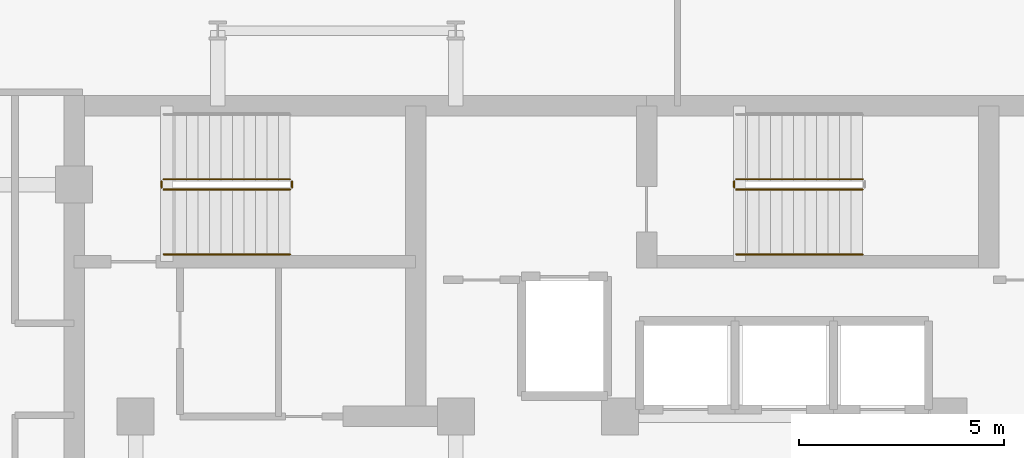
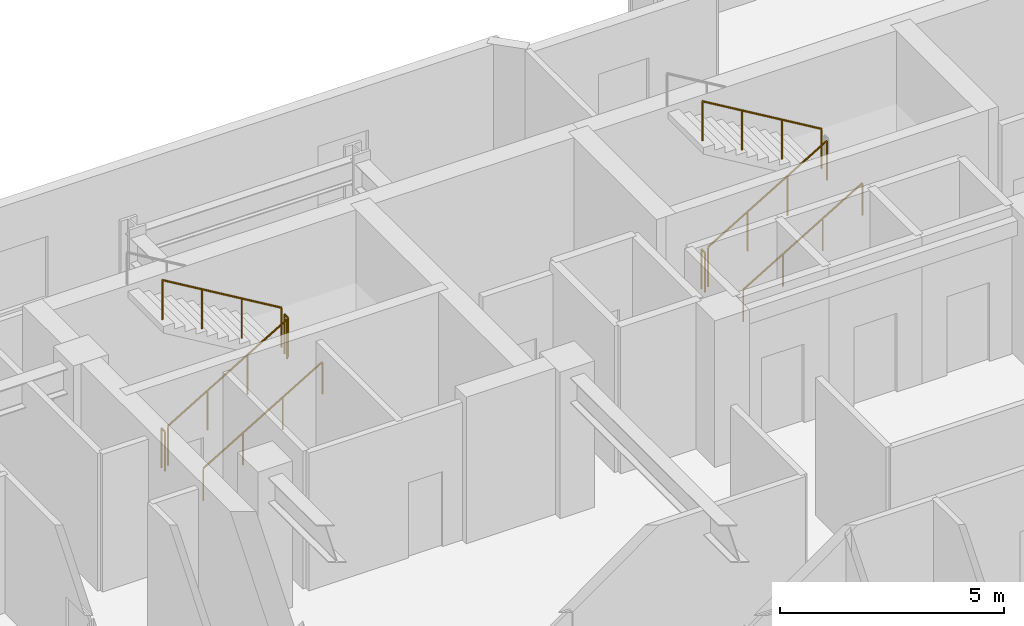
# One storey, part 9 of 11: 9 railings.
"""IFC4 building model written with IfcOpenShell, lengths in metres."""

from ifc_helpers import new_model, si_unit, direction, frame, origin, origin_2d, place, context, subcontext, project, spatial, circle, extrude, material, type_object, element, save


model = new_model("IFC4")

# Units and contexts
model_context = context("Model", 3, precision=1e-05, world=origin(), true_north=direction((0.0, 1.0)))
body_context = subcontext(model_context, "Body", "Model", "MODEL_VIEW")
ifc_project = project(units=[si_unit("LENGTHUNIT", "METRE"), si_unit("AREAUNIT", "SQUARE_METRE"), si_unit("VOLUMEUNIT", "CUBIC_METRE"), si_unit("PLANEANGLEUNIT", "RADIAN"), si_unit("MASSUNIT", "GRAM", prefix="KILO")], contexts=[model_context])

# Site, building, storey
site_placement = place(None, origin())
site = spatial("IfcSite", under=ifc_project, at=site_placement, CompositionType="ELEMENT")
building_placement = place(site_placement, origin())
building = spatial("IfcBuilding", under=site, at=building_placement, Name="Kestravale Grand Hotel", CompositionType="ELEMENT")
storey_placement = place(building_placement, frame((0.0, 0.0, 265.39990234375)))
storey = spatial("IfcBuildingStorey", under=building, at=storey_placement, Name="L66", CompositionType="ELEMENT", Elevation=265.39990234375)

# Railings
ifc_material_1 = material(Name="Painted tubular steel stair well guard", Category="steel")
railing_type_1 = type_object("IfcRailingType", Name="RL-ST-GRD1100", PredefinedType="GUARDRAIL", material=ifc_material_1)
railing_1_placement = place(storey_placement, frame((24.080078125, 38.280029296875, 0.166748046875)))
element("IfcRailing", 1, at=railing_1_placement, inside=storey, type_object=railing_type_1, Name="L66 ST-1 stair guard 1", PredefinedType="GUARDRAIL", context=body_context, shape_type="SweptSolid", body=[
    extrude(circle(Radius=0.02392578125, at=origin_2d()), frame((0.0, 0.0, 1.076171875), z_axis=(0.859290745958, 0.0, 0.51148745235), x_axis=(0.0, 1.0, 0.0)), (0.0, 0.0, 1.0), 3.584228515625),
    extrude(circle(Radius=0.02099609375, at=origin_2d()), origin(), (0.0, 0.0, 1.0), 1.052001953125),
    extrude(circle(Radius=0.02099609375, at=origin_2d()), frame((1.026611328125, 0.0, 0.611083984375)), (0.0, 0.0, 1.0), 1.052001953125),
    extrude(circle(Radius=0.02099609375, at=origin_2d()), frame((2.05322265625, 0.0, 1.22216796875)), (0.0, 0.0, 1.0), 1.052001953125),
    extrude(circle(Radius=0.02099609375, at=origin_2d()), frame((3.079833984375, 0.0, 1.833251953125)), (0.0, 0.0, 1.0), 1.052001953125),
])
railing_2_placement = place(storey_placement, frame((27.2099609375, 38.330078125, 2.0)))
element("IfcRailing", 2, at=railing_2_placement, inside=storey, type_object=railing_type_1, Name="L66 ST-1 stair guard 2", PredefinedType="GUARDRAIL", context=body_context, shape_type="SweptSolid", body=[
    extrude(circle(Radius=0.02392578125, at=origin_2d()), frame((0.0, 0.0, 1.076171875), z_axis=(0.0, 1.0, 0.0), x_axis=(-1.0, 0.0, 0.0)), (0.0, 0.0, 1.0), 0.14990234375),
    extrude(circle(Radius=0.02099609375, at=origin_2d()), origin(), (0.0, 0.0, 1.0), 1.052001953125),
    extrude(circle(Radius=0.02099609375, at=origin_2d()), frame((0.0, 0.14990234375, 0.0)), (0.0, 0.0, 1.0), 1.052001953125),
])
railing_3_placement = place(storey_placement, frame((27.159912109375, 38.530029296875, 2.166748046875)))
element("IfcRailing", 3, at=railing_3_placement, inside=storey, type_object=railing_type_1, Name="L66 ST-1 stair guard 3", PredefinedType="GUARDRAIL", context=body_context, shape_type="SweptSolid", body=[
    extrude(circle(Radius=0.02392578125, at=origin_2d()), frame((0.0, 0.0, 1.076171875), z_axis=(-0.859290745958, 0.0, 0.51148745235), x_axis=(0.0, -1.0, 0.0)), (0.0, 0.0, 1.0), 3.584228515625),
    extrude(circle(Radius=0.02099609375, at=origin_2d()), origin(), (0.0, 0.0, 1.0), 1.052001953125),
    extrude(circle(Radius=0.02099609375, at=origin_2d()), frame((-1.026611328125, 0.0, 0.611083984375)), (0.0, 0.0, 1.0), 1.052001953125),
    extrude(circle(Radius=0.02099609375, at=origin_2d()), frame((-2.05322265625, 0.0, 1.22216796875)), (0.0, 0.0, 1.0), 1.052001953125),
    extrude(circle(Radius=0.02099609375, at=origin_2d()), frame((-3.079833984375, 0.0, 1.833251953125)), (0.0, 0.0, 1.0), 1.052001953125),
])
railing_4_placement = place(storey_placement, frame((24.030029296875, 38.330078125, 0.0)))
element("IfcRailing", 4, at=railing_4_placement, inside=storey, type_object=railing_type_1, Name="L66 ST-1 stair guard 4", PredefinedType="GUARDRAIL", context=body_context, shape_type="SweptSolid", body=[
    extrude(circle(Radius=0.02392578125, at=origin_2d()), frame((0.0, 0.0, 1.076171875), z_axis=(0.0, 1.0, 0.0), x_axis=(-1.0, 0.0, 0.0)), (0.0, 0.0, 1.0), 0.14990234375),
    extrude(circle(Radius=0.02099609375, at=origin_2d()), origin(), (0.0, 0.0, 1.0), 1.052001953125),
    extrude(circle(Radius=0.02099609375, at=origin_2d()), frame((0.0, 0.14990234375, 0.0)), (0.0, 0.0, 1.0), 1.052001953125),
])
railing_5_placement = place(storey_placement, frame((38.030029296875, 38.280029296875, 0.166748046875)))
element("IfcRailing", 5, at=railing_5_placement, inside=storey, type_object=railing_type_1, Name="L66 ST-2 stair guard 1", PredefinedType="GUARDRAIL", context=body_context, shape_type="SweptSolid", body=[
    extrude(circle(Radius=0.02392578125, at=origin_2d()), frame((0.0, 0.0, 1.076171875), z_axis=(0.859308565015, 0.0, 0.511457515432), x_axis=(0.0, 1.0, 0.0)), (0.0, 0.0, 1.0), 3.58447265625),
    extrude(circle(Radius=0.02099609375, at=origin_2d()), origin(), (0.0, 0.0, 1.0), 1.052001953125),
    extrude(circle(Radius=0.02099609375, at=origin_2d()), frame((1.026611328125, 0.0, 0.611083984375)), (0.0, 0.0, 1.0), 1.052001953125),
    extrude(circle(Radius=0.02099609375, at=origin_2d()), frame((2.053466796875, 0.0, 1.22216796875)), (0.0, 0.0, 1.0), 1.052001953125),
    extrude(circle(Radius=0.02099609375, at=origin_2d()), frame((3.080078125, 0.0, 1.833251953125)), (0.0, 0.0, 1.0), 1.052001953125),
])
railing_6_placement = place(storey_placement, frame((41.110107421875, 38.530029296875, 2.166748046875)))
element("IfcRailing", 6, at=railing_6_placement, inside=storey, type_object=railing_type_1, Name="L66 ST-2 stair guard 3", PredefinedType="GUARDRAIL", context=body_context, shape_type="SweptSolid", body=[
    extrude(circle(Radius=0.02392578125, at=origin_2d()), frame((0.0, 0.0, 1.076171875), z_axis=(-0.859308565015, 0.0, 0.511457515432), x_axis=(0.0, -1.0, 0.0)), (0.0, 0.0, 1.0), 3.58447265625),
    extrude(circle(Radius=0.02099609375, at=origin_2d()), origin(), (0.0, 0.0, 1.0), 1.052001953125),
    extrude(circle(Radius=0.02099609375, at=origin_2d()), frame((-1.026611328125, 0.0, 0.611083984375)), (0.0, 0.0, 1.0), 1.052001953125),
    extrude(circle(Radius=0.02099609375, at=origin_2d()), frame((-2.053466796875, 0.0, 1.22216796875)), (0.0, 0.0, 1.0), 1.052001953125),
    extrude(circle(Radius=0.02099609375, at=origin_2d()), frame((-3.080078125, 0.0, 1.833251953125)), (0.0, 0.0, 1.0), 1.052001953125),
])
railing_7_placement = place(storey_placement, frame((37.97998046875, 38.330078125, 0.0)))
element("IfcRailing", 7, at=railing_7_placement, inside=storey, type_object=railing_type_1, Name="L66 ST-2 stair guard 4", PredefinedType="GUARDRAIL", context=body_context, shape_type="SweptSolid", body=[
    extrude(circle(Radius=0.02392578125, at=origin_2d()), frame((0.0, 0.0, 1.076171875), z_axis=(0.0, 1.0, 0.0), x_axis=(-1.0, 0.0, 0.0)), (0.0, 0.0, 1.0), 0.14990234375),
    extrude(circle(Radius=0.02099609375, at=origin_2d()), origin(), (0.0, 0.0, 1.0), 1.052001953125),
    extrude(circle(Radius=0.02099609375, at=origin_2d()), frame((0.0, 0.14990234375, 0.0)), (0.0, 0.0, 1.0), 1.052001953125),
])
ifc_material_2 = material(Name="Brushed stainless steel wall handrail", Category="steel")
railing_type_2 = type_object("IfcRailingType", Name="RL-ST-HND900", PredefinedType="HANDRAIL", material=ifc_material_2)
railing_8_placement = place(storey_placement, frame((24.080078125, 36.699951171875, 0.166748046875)))
element("IfcRailing", 8, at=railing_8_placement, inside=storey, type_object=railing_type_2, Name="L66 ST-1 stair handrail 1", PredefinedType="HANDRAIL", context=body_context, shape_type="SweptSolid", body=[
    extrude(circle(Radius=0.02392578125, at=origin_2d()), frame((0.0, 0.0, 0.8759765625), z_axis=(0.859290745958, 0.0, 0.51148745235), x_axis=(0.0, 1.0, 0.0)), (0.0, 0.0, 1.0), 3.584228515625),
    extrude(circle(Radius=0.02099609375, at=origin_2d()), origin(), (0.0, 0.0, 1.0), 0.851806640625),
    extrude(circle(Radius=0.02099609375, at=origin_2d()), frame((1.026611328125, 0.0, 0.611083984375)), (0.0, 0.0, 1.0), 0.851806640625),
    extrude(circle(Radius=0.02099609375, at=origin_2d()), frame((2.05322265625, 0.0, 1.22216796875)), (0.0, 0.0, 1.0), 0.851806640625),
    extrude(circle(Radius=0.02099609375, at=origin_2d()), frame((3.079833984375, 0.0, 1.833251953125)), (0.0, 0.0, 1.0), 0.851806640625),
])
railing_9_placement = place(storey_placement, frame((38.030029296875, 36.699951171875, 0.166748046875)))
element("IfcRailing", 9, at=railing_9_placement, inside=storey, type_object=railing_type_2, Name="L66 ST-2 stair handrail 1", PredefinedType="HANDRAIL", context=body_context, shape_type="SweptSolid", body=[
    extrude(circle(Radius=0.02392578125, at=origin_2d()), frame((0.0, 0.0, 0.8759765625), z_axis=(0.859308565015, 0.0, 0.511457515432), x_axis=(0.0, 1.0, 0.0)), (0.0, 0.0, 1.0), 3.58447265625),
    extrude(circle(Radius=0.02099609375, at=origin_2d()), origin(), (0.0, 0.0, 1.0), 0.851806640625),
    extrude(circle(Radius=0.02099609375, at=origin_2d()), frame((1.026611328125, 0.0, 0.611083984375)), (0.0, 0.0, 1.0), 0.851806640625),
    extrude(circle(Radius=0.02099609375, at=origin_2d()), frame((2.053466796875, 0.0, 1.22216796875)), (0.0, 0.0, 1.0), 0.851806640625),
    extrude(circle(Radius=0.02099609375, at=origin_2d()), frame((3.080078125, 0.0, 1.833251953125)), (0.0, 0.0, 1.0), 0.851806640625),
])

save(model, "model.ifc")
